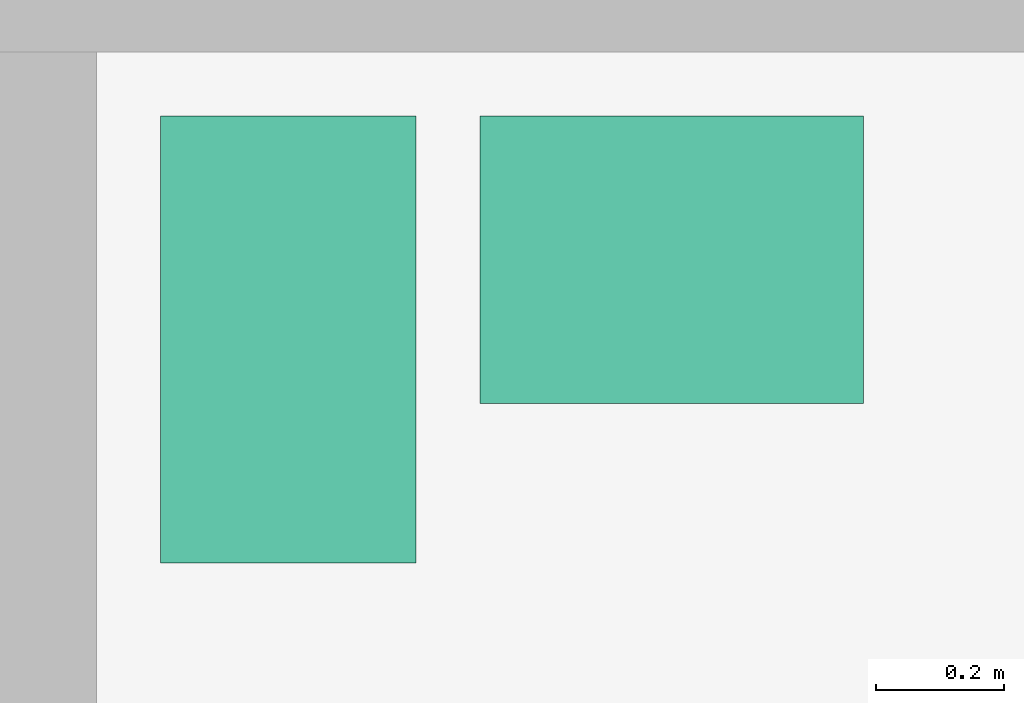
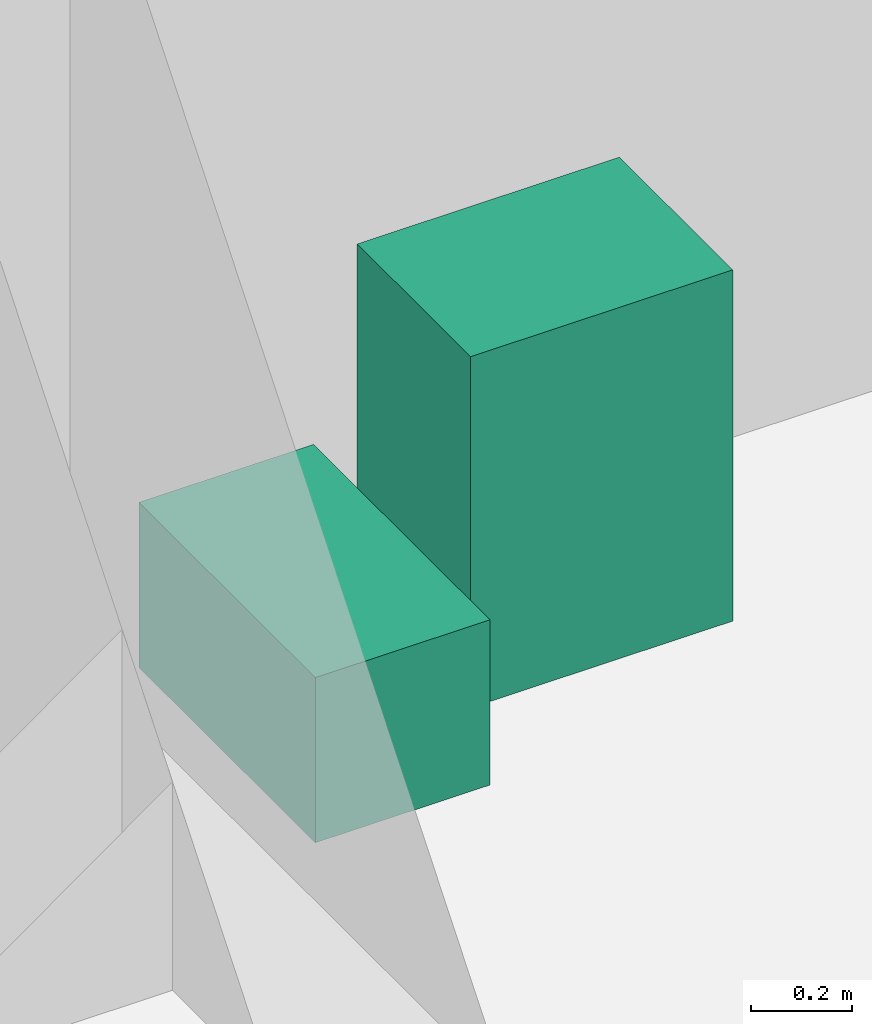
# One storey, part 16 of 16: 2 sanitary terminals.
"""IFC4 building model written with IfcOpenShell, lengths in metres."""

import ifcopenshell
import ifcopenshell.guid

model = None  # the IFC model being written
_history = None  # IfcOwnerHistory: only IFC2X3 demands one
_inside = {}  # id of a spatial element -> (the spatial element, [elements in it])
_under = {}  # id of a project, library or spatial element -> (it, [spatial elements below it])
_declared = {}  # id of a project -> (the project, [libraries it declares])
_typed = {}  # id of a type object -> (the type object, [elements of that type])
_made_of = {}  # id of a material, layer set ... -> (it, [elements and type objects made of it])


def new_model(schema):
    """Start an empty IFC model of exactly this schema.

    Asked for "IFC4X3", IfcOpenShell would pick the latest addendum, in which some entities
    have other attributes; the version numbers below select the first issue.
    IFC2X3 requires an IfcOwnerHistory on every rooted entity: one is made here for all.
    """
    global model, _history
    if schema == "IFC4X3":
        model = ifcopenshell.file(schema_version=(4, 3, 0, 0))
    else:
        model = ifcopenshell.file(schema=schema)
    _inside.clear()
    _under.clear()
    _declared.clear()
    _typed.clear()
    _made_of.clear()
    _history = None
    if model.schema == "IFC2X3":
        org = make("IfcOrganization", Name="unknown")
        user = make(
            "IfcPersonAndOrganization",
            ThePerson=make("IfcPerson", FamilyName="unknown"),
            TheOrganization=org,
        )
        app = make(
            "IfcApplication",
            ApplicationDeveloper=org,
            Version="unknown",
            ApplicationFullName="unknown",
            ApplicationIdentifier="unknown",
        )
        _history = make(
            "IfcOwnerHistory",
            OwningUser=user,
            OwningApplication=app,
            ChangeAction="ADDED",
            CreationDate=0,
        )
    return model


def make(cls, **values):
    """One entity of the class cls with the attributes given. An attribute that is None is left unset."""
    return model.create_entity(
        cls, **{name: value for name, value in values.items() if value is not None}
    )


def rooted(cls, **values):
    """An entity with a GlobalId (a new one), such as an element, a storey or a relation."""
    return make(cls, GlobalId=ifcopenshell.guid.new(), OwnerHistory=_history, **values)


def si_unit(unit_type, name, prefix=None):
    """IfcSIUnit, for example si_unit("LENGTHUNIT", "METRE", prefix="MILLI")."""
    return make("IfcSIUnit", UnitType=unit_type, Prefix=prefix, Name=name)


def assignment(units):
    """IfcUnitAssignment: the units of a project."""
    return None if units is None else make("IfcUnitAssignment", Units=units)


def point(xyz):
    """IfcCartesianPoint."""
    return None if xyz is None else make("IfcCartesianPoint", Coordinates=xyz)


def direction(xyz):
    """IfcDirection."""
    return None if xyz is None else make("IfcDirection", DirectionRatios=xyz)


def frame(location, z_axis=None, x_axis=None):
    """IfcAxis2Placement3D, a coordinate frame: its origin and axes. An axis left out is left unset."""
    return make(
        "IfcAxis2Placement3D",
        Location=point(location),
        Axis=direction(z_axis),
        RefDirection=direction(x_axis),
    )


def frame_2d(location, x_axis=None):
    """IfcAxis2Placement2D, a coordinate frame in the plane: its origin and x axis."""
    return make(
        "IfcAxis2Placement2D", Location=point(location), RefDirection=direction(x_axis)
    )


def origin():
    """The frame at (0, 0, 0) with its axes left unset."""
    return frame((0.0, 0.0, 0.0))


def origin_2d():
    """The frame at (0, 0) in the plane with its x axis left unset."""
    return frame_2d((0.0, 0.0))


def place(relative_to, where):
    """IfcLocalPlacement: puts the frame where relative to a parent placement (None: the world)."""
    return make(
        "IfcLocalPlacement", PlacementRelTo=relative_to, RelativePlacement=where
    )


def context(
    kind, dimensions, precision=None, world=None, true_north=None, identifier=None
):
    """IfcGeometricRepresentationContext, for example the 3D "Model" context."""
    return make(
        "IfcGeometricRepresentationContext",
        ContextIdentifier=identifier,
        ContextType=kind,
        CoordinateSpaceDimension=dimensions,
        Precision=precision,
        WorldCoordinateSystem=world,
        TrueNorth=true_north,
    )


def subcontext(parent, identifier, kind, view, scale=None):
    """IfcGeometricRepresentationSubContext, for example "Body" below "Model"."""
    return make(
        "IfcGeometricRepresentationSubContext",
        ContextIdentifier=identifier,
        ContextType=kind,
        ParentContext=parent,
        TargetScale=scale,
        TargetView=view,
    )


def project(units=None, contexts=None):
    """IfcProject with its units and contexts."""
    return rooted(
        "IfcProject",
        Name="project",
        RepresentationContexts=contexts,
        UnitsInContext=assignment(units),
    )


def spatial(cls, under=None, at=None, **own):
    """A site, building, storey or space (cls), placed at a placement, below another one or the project."""
    s = rooted(cls, ObjectPlacement=at, **own)
    if under is not None:
        _under.setdefault(under.id(), (under, []))[1].append(s)
    return s


def profile(cls, at=None, kind="AREA", **sizes):
    """A parametric profile (cls). Its sizes go by their IFC names, for example OverallWidth=200.0."""
    return make(cls, ProfileType=kind, Position=at, **sizes)


def rectangle(**sizes):
    """IfcRectangleProfileDef."""
    return profile("IfcRectangleProfileDef", **sizes)


def extrude(swept, where, along, depth):
    """IfcExtrudedAreaSolid: the profile swept, set in the frame where, extruded along a direction by depth."""
    return make(
        "IfcExtrudedAreaSolid",
        SweptArea=swept,
        Position=where,
        ExtrudedDirection=direction(along),
        Depth=depth,
    )


def shape(context_of_items, identifier, shape_type, items):
    """IfcShapeRepresentation: the items that make up one representation, for example the "Body"."""
    return make(
        "IfcShapeRepresentation",
        ContextOfItems=context_of_items,
        RepresentationIdentifier=identifier,
        RepresentationType=shape_type,
        Items=items,
    )


def made_of(thing, what):
    """Note that an element or type object is made of a material, layer set ...; save() writes the relation."""
    if what is not None:
        _made_of.setdefault(what.id(), (what, []))[1].append(thing)
    return thing


def element(
    cls,
    number,
    at=None,
    inside=None,
    cuts=None,
    type_object=None,
    material=None,
    context=None,
    identifier="Body",
    shape_type=None,
    held_by="IfcProductDefinitionShape",
    body=None,
    shapes=None,
    **own,
):
    """One element of the class cls, such as IfcWall. Its Tag is "e" and its number.

    at: its placement. inside: the storey or other place that contains it. cuts: it is an
    opening in that element (IfcRelVoidsElement). A single representation is given by context,
    identifier, shape_type and body (its items); several are given by shapes. held_by: the class
    of the entity that holds the representations. save() writes the other relations.
    """
    e = rooted(cls, Tag="e%d" % number, ObjectPlacement=at, **own)
    if body is not None:
        shapes = [shape(context, identifier, shape_type, body)]
    if shapes is not None:
        e.Representation = make(held_by, Representations=shapes)
    if inside is not None:
        _inside.setdefault(inside.id(), (inside, []))[1].append(e)
    if cuts is not None:
        rooted(
            "IfcRelVoidsElement", RelatingBuildingElement=cuts, RelatedOpeningElement=e
        )
    if type_object is not None:
        _typed.setdefault(type_object.id(), (type_object, []))[1].append(e)
    return made_of(e, material)


def aggregate(whole, parts):
    """IfcRelAggregates: a whole, such as a stair, and the parts it consists of."""
    return rooted("IfcRelAggregates", RelatingObject=whole, RelatedObjects=parts)


def save(model, path):
    """Write the relations noted so far, then the file.

    IfcRelAggregates (storeys below a building ...), IfcRelContainedInSpatialStructure (elements
    in a storey), IfcRelDefinesByType, IfcRelAssociatesMaterial and IfcRelDeclares: one each for
    every whole, place, type object, material and project.
    """
    for whole, parts in _under.values():
        aggregate(whole, parts)
    for where, things in _inside.values():
        rooted(
            "IfcRelContainedInSpatialStructure",
            RelatedElements=things,
            RelatingStructure=where,
        )
    for kind, things in _typed.values():
        rooted("IfcRelDefinesByType", RelatedObjects=things, RelatingType=kind)
    for what, things in _made_of.values():
        rooted("IfcRelAssociatesMaterial", RelatedObjects=things, RelatingMaterial=what)
    for by, libraries in _declared.values():
        rooted("IfcRelDeclares", RelatingContext=by, RelatedDefinitions=libraries)
    model.write(path)


model = new_model("IFC4")

# Units and contexts
model_context = context("Model", 3, precision=1e-05, world=origin(), true_north=direction((0.0, 1.0)))
body_context = subcontext(model_context, "Body", "Model", "MODEL_VIEW")
ifc_project = project(units=[si_unit("LENGTHUNIT", "METRE"), si_unit("AREAUNIT", "SQUARE_METRE"), si_unit("VOLUMEUNIT", "CUBIC_METRE"), si_unit("PLANEANGLEUNIT", "RADIAN"), si_unit("MASSUNIT", "GRAM", prefix="KILO")], contexts=[model_context])

# Site, building, storey
site_placement = place(None, origin())
site = spatial("IfcSite", under=ifc_project, at=site_placement, CompositionType="ELEMENT")
building_placement = place(site_placement, origin())
building = spatial("IfcBuilding", under=site, at=building_placement, Name="Hankou Lantern Tower", CompositionType="ELEMENT")
storey_placement = place(building_placement, frame((0.0, 0.0, 150.0)))
storey = spatial("IfcBuildingStorey", under=building, at=storey_placement, Name="L39", CompositionType="ELEMENT", Elevation=150.0)

# Sanitary terminals
sanitary_terminal_1_placement = place(storey_placement, frame((-8.5, 3.64990234375, 0.0), z_axis=(0.0, 0.0, 1.0), x_axis=(1.0, 0.0, 0.0)))
element("IfcSanitaryTerminal", 1, at=sanitary_terminal_1_placement, inside=storey, Name="Accessible staff WC WC pan 1", PredefinedType="TOILETPAN", context=body_context, shape_type="SweptSolid", body=[
    extrude(rectangle(XDim=0.39990234375, YDim=0.699951171875, at=origin_2d()), origin(), (0.0, 0.0, 1.0), 0.39990234375),
])
sanitary_terminal_2_placement = place(storey_placement, frame((-7.89990234375, 3.77490234375, 0.0), z_axis=(0.0, 0.0, 1.0), x_axis=(1.0, 0.0, 0.0)))
element("IfcSanitaryTerminal", 2, at=sanitary_terminal_2_placement, inside=storey, Name="Accessible staff WC wash basin 1", PredefinedType="WASHHANDBASIN", context=body_context, shape_type="SweptSolid", body=[
    extrude(rectangle(XDim=0.60009765625, YDim=0.449951171875, at=origin_2d()), origin(), (0.0, 0.0, 1.0), 0.85009765625),
])

save(model, "model.ifc")
